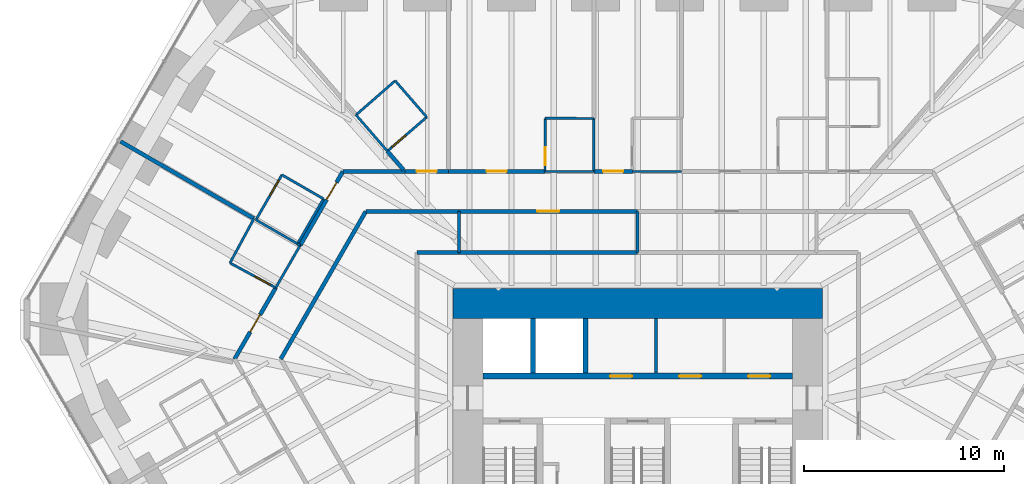
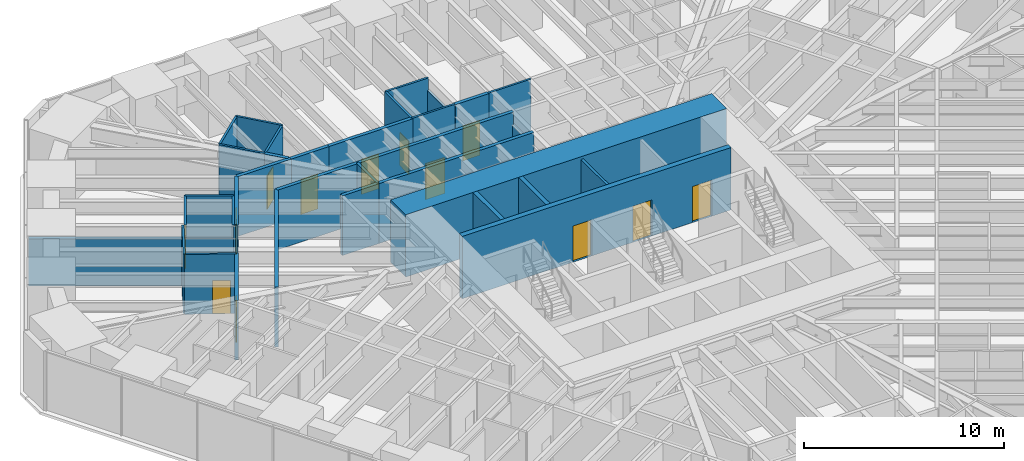
# One storey, part 14 of 17: 37 walls, 13 doors, 13 openings.
"""IFC4 building model written with IfcOpenShell, lengths in metres."""

import ifcopenshell
import ifcopenshell.guid

model = None  # the IFC model being written
_history = None  # IfcOwnerHistory: only IFC2X3 demands one
_inside = {}  # id of a spatial element -> (the spatial element, [elements in it])
_under = {}  # id of a project, library or spatial element -> (it, [spatial elements below it])
_declared = {}  # id of a project -> (the project, [libraries it declares])
_typed = {}  # id of a type object -> (the type object, [elements of that type])
_made_of = {}  # id of a material, layer set ... -> (it, [elements and type objects made of it])


def new_model(schema):
    """Start an empty IFC model of exactly this schema.

    Asked for "IFC4X3", IfcOpenShell would pick the latest addendum, in which some entities
    have other attributes; the version numbers below select the first issue.
    IFC2X3 requires an IfcOwnerHistory on every rooted entity: one is made here for all.
    """
    global model, _history
    if schema == "IFC4X3":
        model = ifcopenshell.file(schema_version=(4, 3, 0, 0))
    else:
        model = ifcopenshell.file(schema=schema)
    _inside.clear()
    _under.clear()
    _declared.clear()
    _typed.clear()
    _made_of.clear()
    _history = None
    if model.schema == "IFC2X3":
        org = make("IfcOrganization", Name="unknown")
        user = make(
            "IfcPersonAndOrganization",
            ThePerson=make("IfcPerson", FamilyName="unknown"),
            TheOrganization=org,
        )
        app = make(
            "IfcApplication",
            ApplicationDeveloper=org,
            Version="unknown",
            ApplicationFullName="unknown",
            ApplicationIdentifier="unknown",
        )
        _history = make(
            "IfcOwnerHistory",
            OwningUser=user,
            OwningApplication=app,
            ChangeAction="ADDED",
            CreationDate=0,
        )
    return model


def make(cls, **values):
    """One entity of the class cls with the attributes given. An attribute that is None is left unset."""
    return model.create_entity(
        cls, **{name: value for name, value in values.items() if value is not None}
    )


def rooted(cls, **values):
    """An entity with a GlobalId (a new one), such as an element, a storey or a relation."""
    return make(cls, GlobalId=ifcopenshell.guid.new(), OwnerHistory=_history, **values)


def si_unit(unit_type, name, prefix=None):
    """IfcSIUnit, for example si_unit("LENGTHUNIT", "METRE", prefix="MILLI")."""
    return make("IfcSIUnit", UnitType=unit_type, Prefix=prefix, Name=name)


def assignment(units):
    """IfcUnitAssignment: the units of a project."""
    return None if units is None else make("IfcUnitAssignment", Units=units)


def point(xyz):
    """IfcCartesianPoint."""
    return None if xyz is None else make("IfcCartesianPoint", Coordinates=xyz)


def direction(xyz):
    """IfcDirection."""
    return None if xyz is None else make("IfcDirection", DirectionRatios=xyz)


def frame(location, z_axis=None, x_axis=None):
    """IfcAxis2Placement3D, a coordinate frame: its origin and axes. An axis left out is left unset."""
    return make(
        "IfcAxis2Placement3D",
        Location=point(location),
        Axis=direction(z_axis),
        RefDirection=direction(x_axis),
    )


def frame_2d(location, x_axis=None):
    """IfcAxis2Placement2D, a coordinate frame in the plane: its origin and x axis."""
    return make(
        "IfcAxis2Placement2D", Location=point(location), RefDirection=direction(x_axis)
    )


def origin():
    """The frame at (0, 0, 0) with its axes left unset."""
    return frame((0.0, 0.0, 0.0))


def place(relative_to, where):
    """IfcLocalPlacement: puts the frame where relative to a parent placement (None: the world)."""
    return make(
        "IfcLocalPlacement", PlacementRelTo=relative_to, RelativePlacement=where
    )


def context(
    kind, dimensions, precision=None, world=None, true_north=None, identifier=None
):
    """IfcGeometricRepresentationContext, for example the 3D "Model" context."""
    return make(
        "IfcGeometricRepresentationContext",
        ContextIdentifier=identifier,
        ContextType=kind,
        CoordinateSpaceDimension=dimensions,
        Precision=precision,
        WorldCoordinateSystem=world,
        TrueNorth=true_north,
    )


def subcontext(parent, identifier, kind, view, scale=None):
    """IfcGeometricRepresentationSubContext, for example "Body" below "Model"."""
    return make(
        "IfcGeometricRepresentationSubContext",
        ContextIdentifier=identifier,
        ContextType=kind,
        ParentContext=parent,
        TargetScale=scale,
        TargetView=view,
    )


def project(units=None, contexts=None):
    """IfcProject with its units and contexts."""
    return rooted(
        "IfcProject",
        Name="project",
        RepresentationContexts=contexts,
        UnitsInContext=assignment(units),
    )


def spatial(cls, under=None, at=None, **own):
    """A site, building, storey or space (cls), placed at a placement, below another one or the project."""
    s = rooted(cls, ObjectPlacement=at, **own)
    if under is not None:
        _under.setdefault(under.id(), (under, []))[1].append(s)
    return s


def profile(cls, at=None, kind="AREA", **sizes):
    """A parametric profile (cls). Its sizes go by their IFC names, for example OverallWidth=200.0."""
    return make(cls, ProfileType=kind, Position=at, **sizes)


def rectangle(**sizes):
    """IfcRectangleProfileDef."""
    return profile("IfcRectangleProfileDef", **sizes)


def extrude(swept, where, along, depth):
    """IfcExtrudedAreaSolid: the profile swept, set in the frame where, extruded along a direction by depth."""
    return make(
        "IfcExtrudedAreaSolid",
        SweptArea=swept,
        Position=where,
        ExtrudedDirection=direction(along),
        Depth=depth,
    )


def shape(context_of_items, identifier, shape_type, items):
    """IfcShapeRepresentation: the items that make up one representation, for example the "Body"."""
    return make(
        "IfcShapeRepresentation",
        ContextOfItems=context_of_items,
        RepresentationIdentifier=identifier,
        RepresentationType=shape_type,
        Items=items,
    )


def material(Name=None, Category=None):
    """IfcMaterial."""
    return make("IfcMaterial", Name=Name, Category=Category)


def layer(
    of_material, thickness, ventilated=None, Name=None, Category=None, Priority=None
):
    """IfcMaterialLayer: one layer of a wall or slab, of a material (None: an air gap)."""
    return make(
        "IfcMaterialLayer",
        Material=of_material,
        LayerThickness=thickness,
        IsVentilated=ventilated,
        Name=Name,
        Category=Category,
        Priority=Priority,
    )


def layer_set(layers, Name=None):
    """IfcMaterialLayerSet."""
    return make("IfcMaterialLayerSet", MaterialLayers=layers, LayerSetName=Name)


def made_of(thing, what):
    """Note that an element or type object is made of a material, layer set ...; save() writes the relation."""
    if what is not None:
        _made_of.setdefault(what.id(), (what, []))[1].append(thing)
    return thing


def type_object(cls, material=None, **own):
    """A type object (cls), such as IfcWallType, which elements share."""
    return made_of(rooted(cls, **own), material)


def element(
    cls,
    number,
    at=None,
    inside=None,
    cuts=None,
    type_object=None,
    material=None,
    context=None,
    identifier="Body",
    shape_type=None,
    held_by="IfcProductDefinitionShape",
    body=None,
    shapes=None,
    **own,
):
    """One element of the class cls, such as IfcWall. Its Tag is "e" and its number.

    at: its placement. inside: the storey or other place that contains it. cuts: it is an
    opening in that element (IfcRelVoidsElement). A single representation is given by context,
    identifier, shape_type and body (its items); several are given by shapes. held_by: the class
    of the entity that holds the representations. save() writes the other relations.
    """
    e = rooted(cls, Tag="e%d" % number, ObjectPlacement=at, **own)
    if body is not None:
        shapes = [shape(context, identifier, shape_type, body)]
    if shapes is not None:
        e.Representation = make(held_by, Representations=shapes)
    if inside is not None:
        _inside.setdefault(inside.id(), (inside, []))[1].append(e)
    if cuts is not None:
        rooted(
            "IfcRelVoidsElement", RelatingBuildingElement=cuts, RelatedOpeningElement=e
        )
    if type_object is not None:
        _typed.setdefault(type_object.id(), (type_object, []))[1].append(e)
    return made_of(e, material)


def fill(opening, filler):
    """IfcRelFillsElement: the door or window that sits in an opening."""
    return rooted(
        "IfcRelFillsElement",
        RelatingOpeningElement=opening,
        RelatedBuildingElement=filler,
    )


def aggregate(whole, parts):
    """IfcRelAggregates: a whole, such as a stair, and the parts it consists of."""
    return rooted("IfcRelAggregates", RelatingObject=whole, RelatedObjects=parts)


def save(model, path):
    """Write the relations noted so far, then the file.

    IfcRelAggregates (storeys below a building ...), IfcRelContainedInSpatialStructure (elements
    in a storey), IfcRelDefinesByType, IfcRelAssociatesMaterial and IfcRelDeclares: one each for
    every whole, place, type object, material and project.
    """
    for whole, parts in _under.values():
        aggregate(whole, parts)
    for where, things in _inside.values():
        rooted(
            "IfcRelContainedInSpatialStructure",
            RelatedElements=things,
            RelatingStructure=where,
        )
    for kind, things in _typed.values():
        rooted("IfcRelDefinesByType", RelatedObjects=things, RelatingType=kind)
    for what, things in _made_of.values():
        rooted("IfcRelAssociatesMaterial", RelatedObjects=things, RelatingMaterial=what)
    for by, libraries in _declared.values():
        rooted("IfcRelDeclares", RelatingContext=by, RelatedDefinitions=libraries)
    model.write(path)


model = new_model("IFC4")

# Units and contexts
model_context = context("Model", 3, precision=1e-05, world=origin(), true_north=direction((0.0, 1.0)))
body_context = subcontext(model_context, "Body", "Model", "MODEL_VIEW")
ifc_project = project(units=[si_unit("LENGTHUNIT", "METRE"), si_unit("AREAUNIT", "SQUARE_METRE"), si_unit("VOLUMEUNIT", "CUBIC_METRE"), si_unit("PLANEANGLEUNIT", "RADIAN"), si_unit("MASSUNIT", "GRAM", prefix="KILO")], contexts=[model_context])

# Site, building, storey
site_placement = place(None, origin())
site = spatial("IfcSite", under=ifc_project, at=site_placement, CompositionType="ELEMENT")
building_placement = place(site_placement, origin())
building = spatial("IfcBuilding", under=site, at=building_placement, Name="Sandreach Pilgrim Tower", CompositionType="ELEMENT")
storey_placement = place(building_placement, frame((0.0, 0.0, 26.800048828125)))
storey = spatial("IfcBuildingStorey", under=building, at=storey_placement, Name="L05", CompositionType="ELEMENT", Elevation=26.800048828125)

# Walls
ifc_material_1 = material(Name="Gypsum board on steel studs", Category="steel")
ifc_layer_1 = layer(ifc_material_1, 0.14990234375)
ifc_layer_set_1 = layer_set([ifc_layer_1], Name="Back of house wall 150")
wall_type_1 = type_object("IfcWallType", Name="Back of house wall 150", PredefinedType="PARTITIONING", material=ifc_layer_set_1)
wall_1_placement = place(storey_placement, frame((-8.93994140625, 11.449951171875, 0.0), z_axis=(0.0, 0.0, 1.0), x_axis=(0.0, -1.0, 0.0)))
element("IfcWall", 1, at=wall_1_placement, inside=storey, type_object=wall_type_1, Name="Back of house wall L05-056", PredefinedType="PARTITIONING", context=body_context, shape_type="SweptSolid", body=[
    extrude(rectangle(XDim=2.050048828125, YDim=0.14990234375, at=frame_2d((1.02490234375, 0.0))), origin(), (0.0, 0.0, 1.0), 3.639892578125),
])
wall_2_placement = place(storey_placement, frame((0.0, 11.449951171875, 0.0), z_axis=(0.0, 0.0, 1.0), x_axis=(0.0, -1.0, 0.0)))
element("IfcWall", 2, at=wall_2_placement, inside=storey, type_object=wall_type_1, Name="Back of house wall L05-085", PredefinedType="PARTITIONING", context=body_context, shape_type="SweptSolid", body=[
    extrude(rectangle(XDim=2.050048828125, YDim=0.14990234375, at=frame_2d((1.02490234375, 0.0))), origin(), (0.0, 0.0, 1.0), 2.8779296875),
])
wall_3_placement = place(storey_placement, frame((0.916748046875, 3.35009765625, 0.0), z_axis=(0.0, 0.0, 1.0), x_axis=(0.0, 1.0, 0.0)))
element("IfcWall", 3, at=wall_3_placement, inside=storey, type_object=wall_type_1, Name="Core room partition L05 1", PredefinedType="PARTITIONING", context=body_context, shape_type="SweptSolid", body=[
    extrude(rectangle(XDim=2.75, YDim=0.14990234375, at=frame_2d((1.375, 0.0))), origin(), (0.0, 0.0, 1.0), 3.639892578125),
])

# Wall, opening, door
ifc_material_2 = material(Name="Moisture-resistant gypsum board on steel studs", Category="steel")
ifc_layer_2 = layer(ifc_material_2, 0.1201171875)
ifc_layer_set_2 = layer_set([ifc_layer_2], Name="Bathroom partition 120")
wall_type_2 = type_object("IfcWallType", Name="Bathroom partition 120", PredefinedType="PARTITIONING", material=ifc_layer_set_2)
wall_4_placement = place(storey_placement, frame((-20.409912109375, 8.8701171875, 0.0), z_axis=(0.0, 0.0, 1.0), x_axis=(0.879324680711, -0.476222748189, 0.0)))
wall_4 = element("IfcWall", 4, at=wall_4_placement, inside=storey, type_object=wall_type_2, Name="Bathroom partition L05-012", PredefinedType="PARTITIONING", context=body_context, shape_type="SweptSolid", body=[
    extrude(rectangle(XDim=2.604248046875, YDim=0.1201171875, at=frame_2d((1.30224609375, 0.0))), origin(), (0.0, 0.0, 1.0), 3.639892578125),
])
opening_1_placement = place(wall_4_placement, frame((1.404296875, 0.0, 0.0)))
opening_1 = element("IfcOpeningElement", 5, at=opening_1_placement, cuts=wall_4, Name="Opening D09-20B", PredefinedType="OPENING", context=body_context, shape_type="SweptSolid", body=[
    extrude(rectangle(XDim=0.89990234375, YDim=2.030029296875, at=frame_2d((0.449951171875, 1.01513671875))), frame((0.0, 0.06005859375, 0.0), z_axis=(0.0, -1.0, 0.0), x_axis=(1.0, 0.0, 0.0)), (0.0, 0.0, 1.0), 0.1201171875),
])
ifc_material_3 = material(Name="Timber door, steel frame", Category="steel")
door_type_1 = type_object("IfcDoorType", Name="Bathroom door", OperationType="SINGLE_SWING_LEFT", PredefinedType="DOOR", material=ifc_material_3)
door_1_placement = place(opening_1_placement, origin())
door_1 = element("IfcDoor", 6, at=door_1_placement, inside=storey, type_object=door_type_1, Name="Door 0520B", OperationType="SINGLE_SWING_RIGHT", OverallHeight=2.030029296875, OverallWidth=0.89990234375, PredefinedType="DOOR", context=body_context, shape_type="SweptSolid", body=[
    extrude(rectangle(XDim=0.89990234375, YDim=2.030029296875, at=frame_2d((0.449951171875, 1.01513671875))), frame((0.0, 0.02490234375, 0.0), z_axis=(0.0, -1.0, 0.0), x_axis=(1.0, 0.0, 0.0)), (0.0, 0.0, 1.0), 0.050048828125),
])
fill(opening_1, door_1)

# Walls
wall_5_placement = place(storey_placement, frame((-19.2099609375, 11.090087890625, 0.0), z_axis=(0.0, 0.0, 1.0), x_axis=(-0.475466449919, -0.879733854641, 0.0)))
element("IfcWall", 7, at=wall_5_placement, inside=storey, type_object=wall_type_2, Name="Bathroom partition L05-018", PredefinedType="PARTITIONING", context=body_context, shape_type="SweptSolid", body=[
    extrude(rectangle(XDim=2.523681640625, YDim=0.1201171875, at=frame_2d((1.26171875, 0.0))), origin(), (0.0, 0.0, 1.0), 3.639892578125),
])
wall_6_placement = place(storey_placement, frame((-19.110107421875, 11.030029296875, 0.0), z_axis=(0.0, 0.0, 1.0), x_axis=(0.866202511239, -0.499693115345, 0.0)))
element("IfcWall", 8, at=wall_6_placement, inside=storey, type_object=wall_type_2, Name="Bathroom partition L05-019", PredefinedType="PARTITIONING", context=body_context, shape_type="SweptSolid", body=[
    extrude(rectangle(XDim=2.4013671875, YDim=0.1201171875, at=frame_2d((1.20068359375, 0.0))), origin(), (0.0, 0.0, 1.0), 2.860107421875),
])
wall_7_placement = place(storey_placement, frame((-18.11962890625, 7.629638671875, 0.0), z_axis=(0.0, 0.0, 1.0), x_axis=(0.499957770222, 0.866049783786, 0.0)))
element("IfcWall", 9, at=wall_7_placement, inside=storey, type_object=wall_type_2, Name="Bathroom partition L05-021", PredefinedType="PARTITIONING", context=body_context, shape_type="SweptSolid", body=[
    extrude(rectangle(XDim=2.454833984375, YDim=0.1201171875, at=frame_2d((1.2275390625, 0.0))), origin(), (0.0, 0.0, 1.0), 3.639892578125),
])

# Wall, opening, door
wall_8_placement = place(storey_placement, frame((-17.81005859375, 13.280029296875, 0.0), z_axis=(0.0, 0.0, 1.0), x_axis=(-0.500291685314, -0.865856933682, 0.0)))
wall_8 = element("IfcWall", 10, at=wall_8_placement, inside=storey, type_object=wall_type_2, Name="Bathroom partition L05-023", PredefinedType="PARTITIONING", context=body_context, shape_type="SweptSolid", body=[
    extrude(rectangle(XDim=2.5986328125, YDim=0.1201171875, at=frame_2d((1.29931640625, 0.0))), origin(), (0.0, 0.0, 1.0), 3.639892578125),
])
opening_2_placement = place(wall_8_placement, frame((0.300048828125, 0.0, 0.0)))
opening_2 = element("IfcOpeningElement", 11, at=opening_2_placement, cuts=wall_8, Name="Opening D09-21B", PredefinedType="OPENING", context=body_context, shape_type="SweptSolid", body=[
    extrude(rectangle(XDim=0.89990234375, YDim=2.030029296875, at=frame_2d((0.449951171875, 1.01513671875))), frame((0.0, 0.06005859375, 0.0), z_axis=(0.0, -1.0, 0.0), x_axis=(1.0, 0.0, 0.0)), (0.0, 0.0, 1.0), 0.1201171875),
])
door_2_placement = place(opening_2_placement, origin())
door_2 = element("IfcDoor", 12, at=door_2_placement, inside=storey, type_object=door_type_1, Name="Door 0521B", OperationType="SINGLE_SWING_LEFT", OverallHeight=2.030029296875, OverallWidth=0.89990234375, PredefinedType="DOOR", context=body_context, shape_type="SweptSolid", body=[
    extrude(rectangle(XDim=0.89990234375, YDim=2.030029296875, at=frame_2d((0.449951171875, 1.01513671875))), frame((0.0, 0.02490234375, 0.0), z_axis=(0.0, -1.0, 0.0), x_axis=(1.0, 0.0, 0.0)), (0.0, 0.0, 1.0), 0.050048828125),
])
fill(opening_2, door_2)

# Walls
wall_9_placement = place(storey_placement, frame((-17.030029296875, 9.830078125, 0.0), z_axis=(0.0, 0.0, 1.0), x_axis=(0.880098986228, -0.47479024257, 0.0)))
element("IfcWall", 13, at=wall_9_placement, inside=storey, type_object=wall_type_2, Name="Bathroom partition L05-025", PredefinedType="PARTITIONING", context=body_context, shape_type="SweptSolid", body=[
    extrude(rectangle(XDim=0.1474609375, YDim=0.1201171875, at=frame_2d((0.07373046875, 0.0))), origin(), (0.0, 0.0, 1.0), 3.639892578125),
])
wall_10_placement = place(storey_placement, frame((-17.030029296875, 9.830078125, 0.0), z_axis=(0.0, 0.0, 1.0), x_axis=(0.500291685314, 0.865856933682, 0.0)))
element("IfcWall", 14, at=wall_10_placement, inside=storey, type_object=wall_type_2, Name="Bathroom partition L05-026", PredefinedType="PARTITIONING", context=body_context, shape_type="SweptSolid", body=[
    extrude(rectangle(XDim=2.5986328125, YDim=0.1201171875, at=frame_2d((1.29931640625, 0.0))), origin(), (0.0, 0.0, 1.0), 3.639892578125),
])
wall_11_placement = place(storey_placement, frame((-15.72998046875, 12.080078125, 0.0), z_axis=(0.0, 0.0, 1.0), x_axis=(-0.866202511239, 0.499693115345, 0.0)))
element("IfcWall", 15, at=wall_11_placement, inside=storey, type_object=wall_type_2, Name="Bathroom partition L05-030", PredefinedType="PARTITIONING", context=body_context, shape_type="SweptSolid", body=[
    extrude(rectangle(XDim=2.4013671875, YDim=0.1201171875, at=frame_2d((1.20068359375, 0.0))), origin(), (0.0, 0.0, 1.0), 3.639892578125),
])
wall_12_placement = place(storey_placement, frame((-14.101318359375, 16.27880859375, 0.0), z_axis=(0.0, 0.0, 1.0), x_axis=(0.654868469202, -0.755742871647, 0.0)))
element("IfcWall", 16, at=wall_12_placement, inside=storey, type_object=wall_type_2, Name="Bathroom partition L05-036", PredefinedType="PARTITIONING", context=body_context, shape_type="SweptSolid", body=[
    extrude(rectangle(XDim=2.39599609375, YDim=0.1201171875, at=frame_2d((1.197998046875, 0.0))), origin(), (0.0, 0.0, 1.0), 3.639892578125),
])

# Wall, opening, door
wall_13_placement = place(storey_placement, frame((-12.530029296875, 14.469970703125, 0.0), z_axis=(0.0, 0.0, 1.0), x_axis=(0.757086659925, 0.653314464377, 0.0)))
wall_13 = element("IfcWall", 17, at=wall_13_placement, inside=storey, type_object=wall_type_2, Name="Bathroom partition L05-042", PredefinedType="PARTITIONING", context=body_context, shape_type="SweptSolid", body=[
    extrude(rectangle(XDim=2.60205078125, YDim=0.1201171875, at=frame_2d((1.301025390625, 0.0))), origin(), (0.0, 0.0, 1.0), 3.639892578125),
])
opening_3_placement = place(wall_13_placement, frame((0.300048828125, 0.0, 0.0)))
opening_3 = element("IfcOpeningElement", 18, at=opening_3_placement, cuts=wall_13, Name="Opening D09-01B", PredefinedType="OPENING", context=body_context, shape_type="SweptSolid", body=[
    extrude(rectangle(XDim=0.89990234375, YDim=2.030029296875, at=frame_2d((0.449951171875, 1.01513671875))), frame((0.0, 0.06005859375, 0.0), z_axis=(0.0, -1.0, 0.0), x_axis=(1.0, 0.0, 0.0)), (0.0, 0.0, 1.0), 0.1201171875),
])
door_3_placement = place(opening_3_placement, origin())
door_3 = element("IfcDoor", 19, at=door_3_placement, inside=storey, type_object=door_type_1, Name="Door 0501B", OperationType="SINGLE_SWING_LEFT", OverallHeight=2.030029296875, OverallWidth=0.89990234375, PredefinedType="DOOR", context=body_context, shape_type="SweptSolid", body=[
    extrude(rectangle(XDim=0.89990234375, YDim=2.030029296875, at=frame_2d((0.449951171875, 1.01513671875))), frame((0.0, 0.02490234375, 0.0), z_axis=(0.0, -1.0, 0.0), x_axis=(1.0, 0.0, 0.0)), (0.0, 0.0, 1.0), 0.050048828125),
])
fill(opening_3, door_3)

# Walls
wall_14_placement = place(storey_placement, frame((-12.139892578125, 17.989990234375, 0.0), z_axis=(0.0, 0.0, 1.0), x_axis=(-0.753570046386, -0.657367617996, 0.0)))
element("IfcWall", 20, at=wall_14_placement, inside=storey, type_object=wall_type_2, Name="Bathroom partition L05-044", PredefinedType="PARTITIONING", context=body_context, shape_type="SweptSolid", body=[
    extrude(rectangle(XDim=2.601318359375, YDim=0.1201171875, at=frame_2d((1.30078125, 0.0))), origin(), (0.0, 0.0, 1.0), 3.639892578125),
])
wall_15_placement = place(storey_placement, frame((-10.56005859375, 16.169921875, 0.0), z_axis=(0.0, 0.0, 1.0), x_axis=(-0.65550883331, 0.755187506155, 0.0)))
element("IfcWall", 21, at=wall_15_placement, inside=storey, type_object=wall_type_2, Name="Bathroom partition L05-049", PredefinedType="PARTITIONING", context=body_context, shape_type="SweptSolid", body=[
    extrude(rectangle(XDim=2.41015625, YDim=0.1201171875, at=frame_2d((1.205078125, 0.0))), origin(), (0.0, 0.0, 1.0), 3.639892578125),
])

# Wall, opening, door
wall_16_placement = place(storey_placement, frame((-4.6298828125, 16.110107421875, 0.0), z_axis=(0.0, 0.0, 1.0), x_axis=(-0.003762822113, -0.99999292056, 0.0)))
wall_16 = element("IfcWall", 22, at=wall_16_placement, inside=storey, type_object=wall_type_2, Name="Bathroom partition L05-065", PredefinedType="PARTITIONING", context=body_context, shape_type="SweptSolid", body=[
    extrude(rectangle(XDim=2.66015625, YDim=0.1201171875, at=frame_2d((1.330078125, 0.0))), origin(), (0.0, 0.0, 1.0), 3.639892578125),
])
opening_4_placement = place(wall_16_placement, frame((1.4599609375, 0.0, 0.0)))
opening_4 = element("IfcOpeningElement", 23, at=opening_4_placement, cuts=wall_16, Name="Opening D09-02B", PredefinedType="OPENING", context=body_context, shape_type="SweptSolid", body=[
    extrude(rectangle(XDim=0.89990234375, YDim=2.030029296875, at=frame_2d((0.449951171875, 1.01513671875))), frame((0.0, 0.06005859375, 0.0), z_axis=(0.0, -1.0, 0.0), x_axis=(1.0, 0.0, 0.0)), (0.0, 0.0, 1.0), 0.1201171875),
])
door_4_placement = place(opening_4_placement, origin())
door_4 = element("IfcDoor", 24, at=door_4_placement, inside=storey, type_object=door_type_1, Name="Door 0502B", OperationType="SINGLE_SWING_RIGHT", OverallHeight=2.030029296875, OverallWidth=0.89990234375, PredefinedType="DOOR", context=body_context, shape_type="SweptSolid", body=[
    extrude(rectangle(XDim=0.89990234375, YDim=2.030029296875, at=frame_2d((0.449951171875, 1.01513671875))), frame((0.0, 0.02490234375, 0.0), z_axis=(0.0, -1.0, 0.0), x_axis=(1.0, 0.0, 0.0)), (0.0, 0.0, 1.0), 0.050048828125),
])
fill(opening_4, door_4)

# Walls
wall_17_placement = place(storey_placement, frame((-2.18994140625, 13.449951171875, 0.0), z_axis=(0.0, 0.0, 1.0), x_axis=(-1.0, 0.0, 0.0)))
element("IfcWall", 25, at=wall_17_placement, inside=storey, type_object=wall_type_2, Name="Bathroom partition L05-071", PredefinedType="PARTITIONING", context=body_context, shape_type="SweptSolid", body=[
    extrude(rectangle(XDim=2.449951171875, YDim=0.1201171875, at=frame_2d((1.22509765625, 0.0))), origin(), (0.0, 0.0, 1.0), 3.639892578125),
])
wall_18_placement = place(storey_placement, frame((-2.18994140625, 16.10009765625, 0.0), z_axis=(0.0, 0.0, 1.0), x_axis=(-0.999991585011, 0.004102426955, 0.0)))
element("IfcWall", 26, at=wall_18_placement, inside=storey, type_object=wall_type_2, Name="Bathroom partition L05-072", PredefinedType="PARTITIONING", context=body_context, shape_type="SweptSolid", body=[
    extrude(rectangle(XDim=2.43994140625, YDim=0.1201171875, at=frame_2d((1.219970703125, 0.0))), origin(), (0.0, 0.0, 1.0), 3.639892578125),
])
wall_19_placement = place(storey_placement, frame((-2.18994140625, 16.10009765625, 0.0), z_axis=(0.0, 0.0, 1.0), x_axis=(0.0, -1.0, 0.0)))
element("IfcWall", 27, at=wall_19_placement, inside=storey, type_object=wall_type_2, Name="Bathroom partition L05-073", PredefinedType="PARTITIONING", context=body_context, shape_type="SweptSolid", body=[
    extrude(rectangle(XDim=2.650146484375, YDim=0.1201171875, at=frame_2d((1.3251953125, 0.0))), origin(), (0.0, 0.0, 1.0), 2.8779296875),
])
wall_20_placement = place(storey_placement, frame((2.18994140625, 13.449951171875, 0.0), z_axis=(0.0, 0.0, 1.0), x_axis=(-1.0, 0.0, 0.0)))
element("IfcWall", 28, at=wall_20_placement, inside=storey, type_object=wall_type_2, Name="Bathroom partition L05-089", PredefinedType="PARTITIONING", context=body_context, shape_type="SweptSolid", body=[
    extrude(rectangle(XDim=2.4599609375, YDim=0.1201171875, at=frame_2d((1.22998046875, 0.0))), origin(), (0.0, 0.0, 1.0), 3.639892578125),
])

# Wall, openings, doors
ifc_material_4 = material(Name="Concrete 10000 psi", Category="concrete")
ifc_layer_3 = layer(ifc_material_4, 0.300048828125)
ifc_layer_set_3 = layer_set([ifc_layer_3], Name="Core inner wall 300")
wall_type_3 = type_object("IfcWallType", Name="Core inner wall 300", PredefinedType="SHEAR", material=ifc_layer_set_3)
wall_21_placement = place(storey_placement, frame((-7.75, 3.199951171875, 0.0), z_axis=(0.0, 0.0, 1.0), x_axis=(1.0, 0.0, 0.0)))
wall_21 = element("IfcWall", 29, at=wall_21_placement, inside=storey, type_object=wall_type_3, Name="Core wall PN L05", PredefinedType="SHEAR", context=body_context, shape_type="SweptSolid", body=[
    extrude(rectangle(XDim=15.5, YDim=0.300048828125, at=frame_2d((7.75, 0.0))), origin(), (0.0, 0.0, 1.0), 3.800048828125),
])
opening_5_placement = place(wall_21_placement, frame((6.370849609375, 0.0, 0.0)))
opening_5 = element("IfcOpeningElement", 30, at=opening_5_placement, cuts=wall_21, Name="Opening D11L", PredefinedType="OPENING", context=body_context, shape_type="SweptSolid", body=[
    extrude(rectangle(XDim=1.10009765625, YDim=2.199951171875, at=frame_2d((0.550048828125, 1.10009765625))), frame((0.0, 0.14990234375, 0.0), z_axis=(0.0, -1.0, 0.0), x_axis=(1.0, 0.0, 0.0)), (0.0, 0.0, 1.0), 0.300048828125),
])
opening_6_placement = place(wall_21_placement, frame((9.824951171875, 0.0, 0.0)))
opening_6 = element("IfcOpeningElement", 31, at=opening_6_placement, cuts=wall_21, Name="Opening D11L", PredefinedType="OPENING", context=body_context, shape_type="SweptSolid", body=[
    extrude(rectangle(XDim=1.10009765625, YDim=2.199951171875, at=frame_2d((0.550048828125, 1.10009765625))), frame((0.0, 0.14990234375, 0.0), z_axis=(0.0, -1.0, 0.0), x_axis=(1.0, 0.0, 0.0)), (0.0, 0.0, 1.0), 0.300048828125),
])
opening_7_placement = place(wall_21_placement, frame((13.279052734375, 0.0, 0.0)))
opening_7 = element("IfcOpeningElement", 32, at=opening_7_placement, cuts=wall_21, Name="Opening D11L", PredefinedType="OPENING", context=body_context, shape_type="SweptSolid", body=[
    extrude(rectangle(XDim=1.10009765625, YDim=2.199951171875, at=frame_2d((0.550048828125, 1.10009765625))), frame((0.0, 0.14990234375, 0.0), z_axis=(0.0, -1.0, 0.0), x_axis=(1.0, 0.0, 0.0)), (0.0, 0.0, 1.0), 0.300048828125),
])
ifc_material_5 = material(Name="Steel door and frame, smoke seals", Category="steel")
door_type_2 = type_object("IfcDoorType", Name="Core room door", OperationType="SINGLE_SWING_LEFT", PredefinedType="DOOR", material=ifc_material_5)
door_5_placement = place(opening_5_placement, origin())
door_5 = element("IfcDoor", 33, at=door_5_placement, inside=storey, type_object=door_type_2, Name="Door linen and housekeeping store 05K1", OperationType="SINGLE_SWING_LEFT", OverallHeight=2.199951171875, OverallWidth=1.10009765625, PredefinedType="DOOR", context=body_context, shape_type="SweptSolid", body=[
    extrude(rectangle(XDim=1.10009765625, YDim=2.199951171875, at=frame_2d((0.550048828125, 1.10009765625))), frame((0.0, 0.02490234375, 0.0), z_axis=(0.0, -1.0, 0.0), x_axis=(1.0, 0.0, 0.0)), (0.0, 0.0, 1.0), 0.050048828125),
])
fill(opening_5, door_5)
door_6_placement = place(opening_6_placement, origin())
door_6 = element("IfcDoor", 34, at=door_6_placement, inside=storey, type_object=door_type_2, Name="Door cleaners store 05K2", OperationType="SINGLE_SWING_RIGHT", OverallHeight=2.199951171875, OverallWidth=1.10009765625, PredefinedType="DOOR", context=body_context, shape_type="SweptSolid", body=[
    extrude(rectangle(XDim=1.10009765625, YDim=2.199951171875, at=frame_2d((0.550048828125, 1.10009765625))), frame((0.0, 0.02490234375, 0.0), z_axis=(0.0, -1.0, 0.0), x_axis=(1.0, 0.0, 0.0)), (0.0, 0.0, 1.0), 0.050048828125),
])
fill(opening_6, door_6)
door_7_placement = place(opening_7_placement, origin())
door_7 = element("IfcDoor", 35, at=door_7_placement, inside=storey, type_object=door_type_2, Name="Door storage room 05K3", OperationType="SINGLE_SWING_RIGHT", OverallHeight=2.199951171875, OverallWidth=1.10009765625, PredefinedType="DOOR", context=body_context, shape_type="SweptSolid", body=[
    extrude(rectangle(XDim=1.10009765625, YDim=2.199951171875, at=frame_2d((0.550048828125, 1.10009765625))), frame((0.0, 0.02490234375, 0.0), z_axis=(0.0, -1.0, 0.0), x_axis=(1.0, 0.0, 0.0)), (0.0, 0.0, 1.0), 0.050048828125),
])
fill(opening_7, door_7)

# Wall
ifc_material_6 = material(Name="Concrete 10000 psi", Category="concrete")
ifc_layer_4 = layer(ifc_material_6, 1.5)
ifc_layer_set_4 = layer_set([ifc_layer_4], Name="Core wall 1500")
wall_type_4 = type_object("IfcWallType", Name="Core wall 1500", PredefinedType="SHEAR", material=ifc_layer_set_4)
wall_22_placement = place(storey_placement, frame((-9.25, 6.85009765625, 0.0), z_axis=(0.0, 0.0, 1.0), x_axis=(1.0, 0.0, 0.0)))
element("IfcWall", 36, at=wall_22_placement, inside=storey, type_object=wall_type_4, Name="Core wall N L05", PredefinedType="SHEAR", context=body_context, shape_type="SweptSolid", body=[
    extrude(rectangle(XDim=18.5, YDim=1.5, at=frame_2d((9.25, 0.0))), origin(), (0.0, 0.0, 1.0), 3.800048828125),
])

# Wall, opening, door
ifc_material_7 = material(Name="Gypsum board on steel studs, two layers each side", Category="steel")
ifc_layer_5 = layer(ifc_material_7, 0.199951171875)
ifc_layer_set_5 = layer_set([ifc_layer_5], Name="Corridor wall 200")
wall_type_5 = type_object("IfcWallType", Name="Corridor wall 200", PredefinedType="PARTITIONING", material=ifc_layer_set_5)
wall_23_placement = place(storey_placement, frame((-20.179931640625, 4.06005859375, 0.0), z_axis=(0.0, 0.0, 1.0), x_axis=(0.499891670567, 0.866087938779, 0.0)))
wall_23 = element("IfcWall", 37, at=wall_23_placement, inside=storey, type_object=wall_type_5, Name="Corridor wall L05-015", PredefinedType="PARTITIONING", context=body_context, shape_type="SweptSolid", body=[
    extrude(rectangle(XDim=4.12158203125, YDim=0.199951171875, at=frame_2d((2.060791015625, 0.0))), origin(), (0.0, 0.0, 1.0), 3.639892578125),
])
opening_8_placement = place(wall_23_placement, frame((1.560791015625, 0.0, 0.0)))
opening_8 = element("IfcOpeningElement", 38, at=opening_8_placement, cuts=wall_23, Name="Opening D10-20", PredefinedType="OPENING", context=body_context, shape_type="SweptSolid", body=[
    extrude(rectangle(XDim=1.0, YDim=2.1298828125, at=frame_2d((0.5, 1.06494140625))), frame((0.0, 0.10009765625, 0.0), z_axis=(0.0, -1.0, 0.0), x_axis=(1.0, 0.0, 0.0)), (0.0, 0.0, 1.0), 0.199951171875),
])
ifc_material_8 = material(Name="Steel door and frame", Category="steel")
door_type_3 = type_object("IfcDoorType", Name="Guest room entry door", OperationType="SINGLE_SWING_LEFT", PredefinedType="DOOR", material=ifc_material_8)
door_8_placement = place(opening_8_placement, origin())
door_8 = element("IfcDoor", 39, at=door_8_placement, inside=storey, type_object=door_type_3, Name="Door 0520", OperationType="SINGLE_SWING_LEFT", OverallHeight=2.1298828125, OverallWidth=1.0, PredefinedType="DOOR", context=body_context, shape_type="SweptSolid", body=[
    extrude(rectangle(XDim=1.0, YDim=2.1298828125, at=frame_2d((0.5, 1.06494140625))), frame((0.0, 0.02490234375, 0.0), z_axis=(0.0, -1.0, 0.0), x_axis=(1.0, 0.0, 0.0)), (0.0, 0.0, 1.0), 0.050048828125),
])
fill(opening_8, door_8)

# Wall
wall_24_placement = place(storey_placement, frame((-17.8701171875, 4.06005859375, 0.0), z_axis=(0.0, 0.0, 1.0), x_axis=(0.499424260127, 0.866357552282, 0.0)))
element("IfcWall", 40, at=wall_24_placement, inside=storey, type_object=wall_type_5, Name="Corridor wall L05-022", PredefinedType="PARTITIONING", context=body_context, shape_type="SweptSolid", body=[
    extrude(rectangle(XDim=8.52978515625, YDim=0.199951171875, at=frame_2d((4.264892578125, 0.0))), origin(), (0.0, 0.0, 1.0), 3.639892578125),
])

# Wall, opening, door
wall_25_placement = place(storey_placement, frame((-16.892333984375, 9.755615234375, 0.0), z_axis=(0.0, 0.0, 1.0), x_axis=(0.499894213467, 0.866086471054, 0.0)))
wall_25 = element("IfcWall", 41, at=wall_25_placement, inside=storey, type_object=wall_type_5, Name="Corridor wall L05-027", PredefinedType="PARTITIONING", context=body_context, shape_type="SweptSolid", body=[
    extrude(rectangle(XDim=4.265625, YDim=0.199951171875, at=frame_2d((2.1328125, 0.0))), origin(), (0.0, 0.0, 1.0), 3.639892578125),
])
opening_9_placement = place(wall_25_placement, frame((2.6328125, 0.0, 0.0)))
opening_9 = element("IfcOpeningElement", 42, at=opening_9_placement, cuts=wall_25, Name="Opening D10-21", PredefinedType="OPENING", context=body_context, shape_type="SweptSolid", body=[
    extrude(rectangle(XDim=1.0, YDim=2.1298828125, at=frame_2d((0.5, 1.06494140625))), frame((0.0, 0.10009765625, 0.0), z_axis=(0.0, -1.0, 0.0), x_axis=(1.0, 0.0, 0.0)), (0.0, 0.0, 1.0), 0.199951171875),
])
door_9_placement = place(opening_9_placement, origin())
door_9 = element("IfcDoor", 43, at=door_9_placement, inside=storey, type_object=door_type_3, Name="Door 0521", OperationType="SINGLE_SWING_RIGHT", OverallHeight=2.1298828125, OverallWidth=1.0, PredefinedType="DOOR", context=body_context, shape_type="SweptSolid", body=[
    extrude(rectangle(XDim=1.0, YDim=2.1298828125, at=frame_2d((0.5, 1.06494140625))), frame((0.0, 0.02490234375, 0.0), z_axis=(0.0, -1.0, 0.0), x_axis=(1.0, 0.0, 0.0)), (0.0, 0.0, 1.0), 0.050048828125),
])
fill(opening_9, door_9)

# Walls
wall_26_placement = place(storey_placement, frame((-13.610107421875, 11.449951171875, 0.0), z_axis=(0.0, 0.0, 1.0), x_axis=(1.0, 0.0, 0.0)))
element("IfcWall", 44, at=wall_26_placement, inside=storey, type_object=wall_type_5, Name="Corridor wall L05-037", PredefinedType="PARTITIONING", context=body_context, shape_type="SweptSolid", body=[
    extrude(rectangle(XDim=4.670166015625, YDim=0.199951171875, at=frame_2d((2.3349609375, 0.0))), origin(), (0.0, 0.0, 1.0), 3.639892578125),
])
wall_27_placement = place(storey_placement, frame((-11.64990234375, 13.449951171875, 0.0), z_axis=(0.0, 0.0, 1.0), x_axis=(-1.0, 0.0, 0.0)))
element("IfcWall", 45, at=wall_27_placement, inside=storey, type_object=wall_type_5, Name="Corridor wall L05-045", PredefinedType="PARTITIONING", context=body_context, shape_type="SweptSolid", body=[
    extrude(rectangle(XDim=3.110107421875, YDim=0.199951171875, at=frame_2d((1.55517578125, 0.0))), origin(), (0.0, 0.0, 1.0), 3.639892578125),
])

# Wall, opening, door
wall_28_placement = place(storey_placement, frame((-9.47998046875, 13.449951171875, 0.0), z_axis=(0.0, 0.0, 1.0), x_axis=(-1.0, 0.0, 0.0)))
wall_28 = element("IfcWall", 46, at=wall_28_placement, inside=storey, type_object=wall_type_5, Name="Corridor wall L05-053", PredefinedType="PARTITIONING", context=body_context, shape_type="SweptSolid", body=[
    extrude(rectangle(XDim=2.169921875, YDim=0.199951171875, at=frame_2d((1.0849609375, 0.0))), origin(), (0.0, 0.0, 1.0), 3.639892578125),
])
opening_10_placement = place(wall_28_placement, frame((0.5849609375, 0.0, 0.0)))
opening_10 = element("IfcOpeningElement", 47, at=opening_10_placement, cuts=wall_28, Name="Opening D10-01", PredefinedType="OPENING", context=body_context, shape_type="SweptSolid", body=[
    extrude(rectangle(XDim=1.0, YDim=2.1298828125, at=frame_2d((0.5, 1.06494140625))), frame((0.0, 0.10009765625, 0.0), z_axis=(0.0, -1.0, 0.0), x_axis=(1.0, 0.0, 0.0)), (0.0, 0.0, 1.0), 0.199951171875),
])
door_10_placement = place(opening_10_placement, origin())
door_10 = element("IfcDoor", 48, at=door_10_placement, inside=storey, type_object=door_type_3, Name="Door 0501", OperationType="SINGLE_SWING_LEFT", OverallHeight=2.1298828125, OverallWidth=1.0, PredefinedType="DOOR", context=body_context, shape_type="SweptSolid", body=[
    extrude(rectangle(XDim=1.0, YDim=2.1298828125, at=frame_2d((0.5, 1.06494140625))), frame((0.0, 0.02490234375, 0.0), z_axis=(0.0, -1.0, 0.0), x_axis=(1.0, 0.0, 0.0)), (0.0, 0.0, 1.0), 0.050048828125),
])
fill(opening_10, door_10)

# Wall
wall_29_placement = place(storey_placement, frame((-8.93994140625, 9.39990234375, 0.0), z_axis=(0.0, 0.0, 1.0), x_axis=(-1.0, 0.0, 0.0)))
element("IfcWall", 49, at=wall_29_placement, inside=storey, type_object=wall_type_5, Name="Corridor wall L05-055", PredefinedType="PARTITIONING", context=body_context, shape_type="SweptSolid", body=[
    extrude(rectangle(XDim=2.10009765625, YDim=0.199951171875, at=frame_2d((1.050048828125, 0.0))), origin(), (0.0, 0.0, 1.0), 3.639892578125),
])

# Wall, opening, door
wall_30_placement = place(storey_placement, frame((-8.93994140625, 11.449951171875, 0.0), z_axis=(0.0, 0.0, 1.0), x_axis=(1.0, 0.0, 0.0)))
wall_30 = element("IfcWall", 50, at=wall_30_placement, inside=storey, type_object=wall_type_5, Name="Corridor wall L05-057", PredefinedType="PARTITIONING", context=body_context, shape_type="SweptSolid", body=[
    extrude(rectangle(XDim=8.93994140625, YDim=0.199951171875, at=frame_2d((4.469970703125, 0.0))), origin(), (0.0, 0.0, 1.0), 3.639892578125),
])
opening_11_placement = place(wall_30_placement, frame((3.919921875, 0.0, 0.0)))
opening_11 = element("IfcOpeningElement", 51, at=opening_11_placement, cuts=wall_30, Name="Opening D11H-M02", PredefinedType="OPENING", context=body_context, shape_type="SweptSolid", body=[
    extrude(rectangle(XDim=1.10009765625, YDim=2.199951171875, at=frame_2d((0.550048828125, 1.10009765625))), frame((0.0, 0.10009765625, 0.0), z_axis=(0.0, -1.0, 0.0), x_axis=(1.0, 0.0, 0.0)), (0.0, 0.0, 1.0), 0.199951171875),
])
ifc_material_9 = material(Name="Steel door and frame", Category="steel")
door_type_4 = type_object("IfcDoorType", Name="Back of house door", OperationType="SINGLE_SWING_LEFT", PredefinedType="DOOR", material=ifc_material_9)
door_11_placement = place(opening_11_placement, origin())
door_11 = element("IfcDoor", 52, at=door_11_placement, inside=storey, type_object=door_type_4, Name="Door 05M02", OperationType="SINGLE_SWING_LEFT", OverallHeight=2.199951171875, OverallWidth=1.10009765625, PredefinedType="DOOR", context=body_context, shape_type="SweptSolid", body=[
    extrude(rectangle(XDim=1.10009765625, YDim=2.199951171875, at=frame_2d((0.550048828125, 1.10009765625))), frame((0.0, 0.02490234375, 0.0), z_axis=(0.0, -1.0, 0.0), x_axis=(1.0, 0.0, 0.0)), (0.0, 0.0, 1.0), 0.050048828125),
])
fill(opening_11, door_11)

wall_31_placement = place(storey_placement, frame((-4.639892578125, 13.449951171875, 0.0), z_axis=(0.0, 0.0, 1.0), x_axis=(-1.0, 0.0, 0.0)))
wall_31 = element("IfcWall", 53, at=wall_31_placement, inside=storey, type_object=wall_type_5, Name="Corridor wall L05-064", PredefinedType="PARTITIONING", context=body_context, shape_type="SweptSolid", body=[
    extrude(rectangle(XDim=4.840087890625, YDim=0.199951171875, at=frame_2d((2.419921875, 0.0))), origin(), (0.0, 0.0, 1.0), 3.639892578125),
])
opening_12_placement = place(wall_31_placement, frame((1.919921875, 0.0, 0.0)))
opening_12 = element("IfcOpeningElement", 54, at=opening_12_placement, cuts=wall_31, Name="Opening D10-02", PredefinedType="OPENING", context=body_context, shape_type="SweptSolid", body=[
    extrude(rectangle(XDim=1.0, YDim=2.1298828125, at=frame_2d((0.5, 1.06494140625))), frame((0.0, 0.10009765625, 0.0), z_axis=(0.0, -1.0, 0.0), x_axis=(1.0, 0.0, 0.0)), (0.0, 0.0, 1.0), 0.199951171875),
])
door_12_placement = place(opening_12_placement, origin())
door_12 = element("IfcDoor", 55, at=door_12_placement, inside=storey, type_object=door_type_3, Name="Door 0502", OperationType="SINGLE_SWING_LEFT", OverallHeight=2.1298828125, OverallWidth=1.0, PredefinedType="DOOR", context=body_context, shape_type="SweptSolid", body=[
    extrude(rectangle(XDim=1.0, YDim=2.1298828125, at=frame_2d((0.5, 1.06494140625))), frame((0.0, 0.02490234375, 0.0), z_axis=(0.0, -1.0, 0.0), x_axis=(1.0, 0.0, 0.0)), (0.0, 0.0, 1.0), 0.050048828125),
])
fill(opening_12, door_12)

wall_32_placement = place(storey_placement, frame((-0.27001953125, 13.449951171875, 0.0), z_axis=(0.0, 0.0, 1.0), x_axis=(-1.0, 0.0, 0.0)))
wall_32 = element("IfcWall", 56, at=wall_32_placement, inside=storey, type_object=wall_type_5, Name="Corridor wall L05-075", PredefinedType="PARTITIONING", context=body_context, shape_type="SweptSolid", body=[
    extrude(rectangle(XDim=1.919921875, YDim=0.199951171875, at=frame_2d((0.9599609375, 0.0))), origin(), (0.0, 0.0, 1.0), 3.639892578125),
])
opening_13_placement = place(wall_32_placement, frame((0.4599609375, 0.0, 0.0)))
opening_13 = element("IfcOpeningElement", 57, at=opening_13_placement, cuts=wall_32, Name="Opening D10-03", PredefinedType="OPENING", context=body_context, shape_type="SweptSolid", body=[
    extrude(rectangle(XDim=1.0, YDim=2.1298828125, at=frame_2d((0.5, 1.06494140625))), frame((0.0, 0.10009765625, 0.0), z_axis=(0.0, -1.0, 0.0), x_axis=(1.0, 0.0, 0.0)), (0.0, 0.0, 1.0), 0.199951171875),
])
door_13_placement = place(opening_13_placement, origin())
door_13 = element("IfcDoor", 58, at=door_13_placement, inside=storey, type_object=door_type_3, Name="Door 0503", OperationType="SINGLE_SWING_LEFT", OverallHeight=2.1298828125, OverallWidth=1.0, PredefinedType="DOOR", context=body_context, shape_type="SweptSolid", body=[
    extrude(rectangle(XDim=1.0, YDim=2.1298828125, at=frame_2d((0.5, 1.06494140625))), frame((0.0, 0.02490234375, 0.0), z_axis=(0.0, -1.0, 0.0), x_axis=(1.0, 0.0, 0.0)), (0.0, 0.0, 1.0), 0.050048828125),
])
fill(opening_13, door_13)

# Walls
wall_33_placement = place(storey_placement, frame((0.0, 9.39990234375, 0.0), z_axis=(0.0, 0.0, 1.0), x_axis=(-1.0, 0.0, 0.0)))
element("IfcWall", 59, at=wall_33_placement, inside=storey, type_object=wall_type_5, Name="Corridor wall L05-084", PredefinedType="PARTITIONING", context=body_context, shape_type="SweptSolid", body=[
    extrude(rectangle(XDim=8.93994140625, YDim=0.199951171875, at=frame_2d((4.469970703125, 0.0))), origin(), (0.0, 0.0, 1.0), 3.639892578125),
])
ifc_material_10 = material(Name="Double steel stud acoustic wall, gypsum board", Category="steel")
ifc_layer_6 = layer(ifc_material_10, 0.199951171875)
ifc_layer_set_6 = layer_set([ifc_layer_6], Name="Party wall 200")
wall_type_6 = type_object("IfcWallType", Name="Party wall 200", PredefinedType="PARTITIONING", material=ifc_layer_set_6)
wall_34_placement = place(storey_placement, frame((-25.88623046875, 14.949951171875, 0.0), z_axis=(0.0, 0.0, 1.0), x_axis=(0.865726686167, -0.50051703753, 0.0)))
element("IfcWall", 60, at=wall_34_placement, inside=storey, type_object=wall_type_6, Name="Party wall L05-003", PredefinedType="PARTITIONING", context=body_context, shape_type="SweptSolid", body=[
    extrude(rectangle(XDim=7.711669921875, YDim=0.199951171875, at=frame_2d((3.85595703125, 0.0))), origin(), (0.0, 0.0, 1.0), 2.860107421875),
])
wall_35_placement = place(storey_placement, frame((-12.5322265625, 14.468017578125, 0.0), z_axis=(0.0, 0.0, 1.0), x_axis=(0.654877937884, -0.755734666714, 0.0)))
element("IfcWall", 61, at=wall_35_placement, inside=storey, type_object=wall_type_6, Name="Party wall L05-041", PredefinedType="PARTITIONING", context=body_context, shape_type="SweptSolid", body=[
    extrude(rectangle(XDim=1.237060546875, YDim=0.199951171875, at=frame_2d((0.61865234375, 0.0))), origin(), (0.0, 0.0, 1.0), 3.639892578125),
])
ifc_material_11 = material(Name="Gypsum shaft wall on steel studs, two layers of shaft liner board", Category="steel")
ifc_layer_7 = layer(ifc_material_11, 0.25)
ifc_layer_set_7 = layer_set([ifc_layer_7], Name="Shaft partition 250")
wall_type_7 = type_object("IfcWallType", Name="Shaft partition 250", PredefinedType="PARTITIONING", material=ifc_layer_set_7)
for number, where, z_axis, x_axis, name in (
    (62, (-5.25, 3.35009765625, 0.0), (0.0, 0.0, 1.0), (0.0, 1.0, 0.0), "Shaft partition NS0 L05"),
    (63, (-2.625, 3.35009765625, 0.0), (0.0, 0.0, 1.0), (0.0, 1.0, 0.0), "Shaft partition NS1 L05"),
):
    element("IfcWall", number, at=place(storey_placement, frame(where, z_axis=z_axis, x_axis=x_axis)), inside=storey, type_object=wall_type_7, Name=name, PredefinedType="PARTITIONING", context=body_context, shape_type="SweptSolid", body=[
        extrude(rectangle(XDim=2.75, YDim=0.25, at=frame_2d((1.375, 0.0))), origin(), (0.0, 0.0, 1.0), 3.800048828125),
    ])

save(model, "model.ifc")
